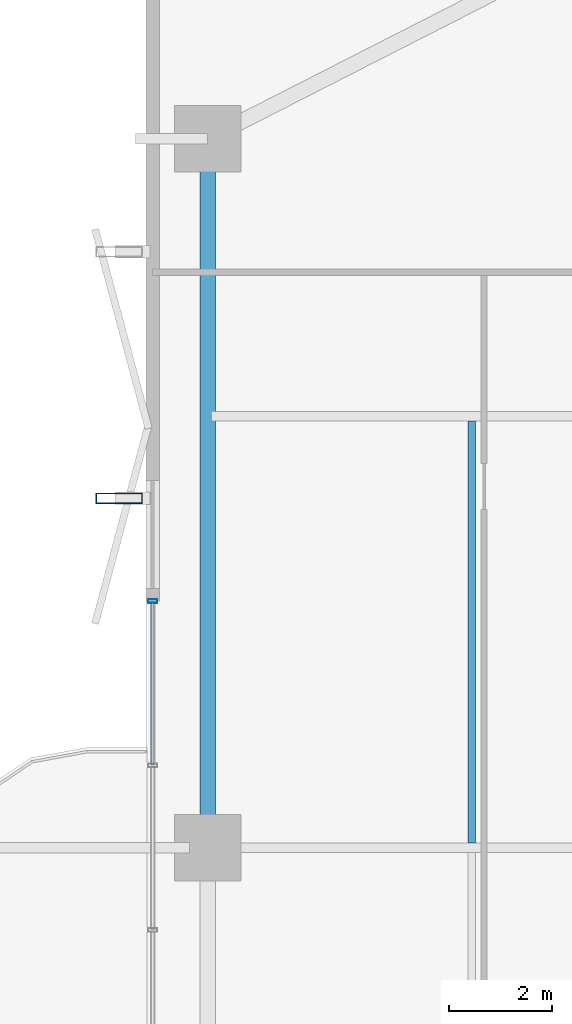
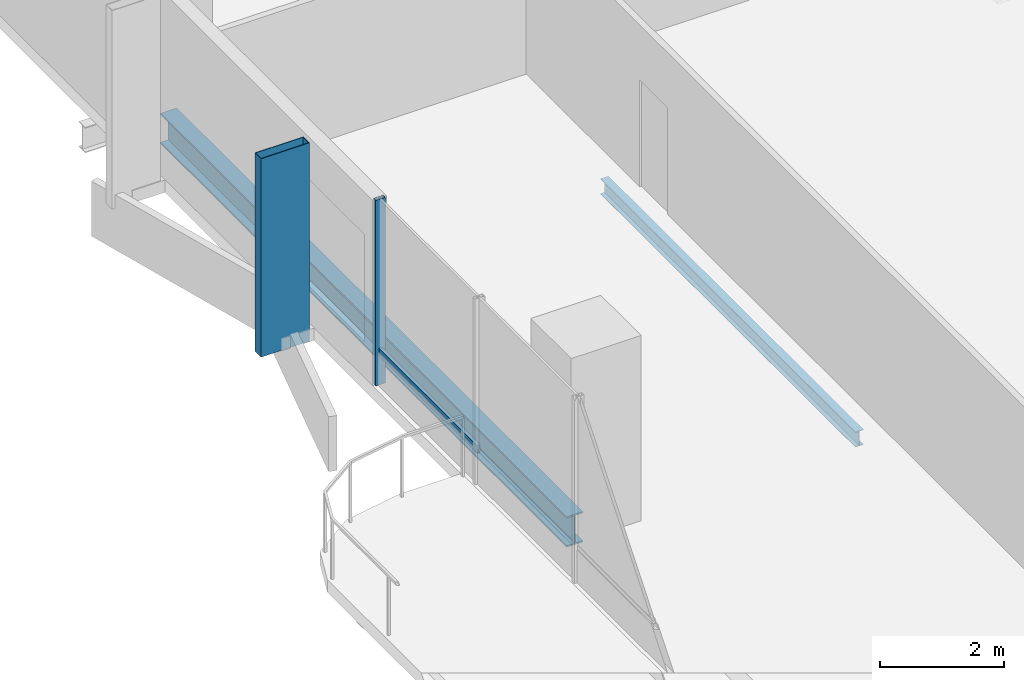
# One storey, part 9 of 24: 3 members, 2 beams, 1 element without a shape of its own.
"""IFC4 building model written with IfcOpenShell, lengths in metres."""

from ifc_helpers import new_model, si_unit, direction, frame, origin, origin_2d, place, context, subcontext, project, spatial, hollow_rectangle, i_section, extrude, material, layer, layer_set, material_profile, profile_set, type_object, element, aggregate, save


model = new_model("IFC4")

# Units and contexts
model_context = context("Model", 3, precision=1e-05, world=origin(), true_north=direction((0.0, 1.0)))
body_context = subcontext(model_context, "Body", "Model", "MODEL_VIEW")
ifc_project = project(units=[si_unit("LENGTHUNIT", "METRE"), si_unit("AREAUNIT", "SQUARE_METRE"), si_unit("VOLUMEUNIT", "CUBIC_METRE"), si_unit("PLANEANGLEUNIT", "RADIAN"), si_unit("MASSUNIT", "GRAM", prefix="KILO")], contexts=[model_context])

# Site, building, storey
site_placement = place(None, origin())
site = spatial("IfcSite", under=ifc_project, at=site_placement, CompositionType="ELEMENT")
building_placement = place(site_placement, origin())
building = spatial("IfcBuilding", under=site, at=building_placement, Name="Belovzor Exchange Tower", CompositionType="ELEMENT")
storey_placement = place(building_placement, frame((0.0, 0.0, 129.0)))
storey = spatial("IfcBuildingStorey", under=building, at=storey_placement, Name="L31", CompositionType="ELEMENT", Elevation=129.0)

# Beam
ifc_material_1 = material(Name="Steel S355", Category="steel")
ifc_material_profile_1 = material_profile(ifc_material_1, i_section(OverallWidth=0.14990234375, OverallDepth=0.300048828125, WebThickness=0.007080078125, FlangeThickness=0.0107421875, at=origin_2d()))
ifc_profile_set_1 = profile_set([ifc_material_profile_1], Name="Steel S355")
beam_type_1 = type_object("IfcBeamType", Name="Secondary Trim Floor Joist IPE 300", PredefinedType="BEAM", material=ifc_profile_set_1)
beam_1_placement = place(storey_placement, frame((9.0390625, 28.89501953125, -0.39990234375), z_axis=(0.0, 1.0, 0.0), x_axis=(-1.0, 0.0, 0.0)))
element("IfcBeam", 1, at=beam_1_placement, inside=storey, type_object=beam_type_1, Name="FJ-300 Secondary Trim Floor Joist IPE 300", PredefinedType="BEAM", context=body_context, shape_type="SweptSolid", body=[
    extrude(i_section(OverallWidth=0.14990234375, OverallDepth=0.300048828125, WebThickness=0.007080078125, FlangeThickness=0.0107421875, at=origin_2d()), origin(), (0.0, 0.0, 1.0), 8.2099609375),
])

# Member
ifc_material_2 = material(Name="Extruded Architectural Terracotta on Steel S355 Carrier", Category="masonry")
ifc_material_profile_2 = material_profile(ifc_material_2, hollow_rectangle(XDim=0.199951171875, YDim=0.89990234375, WallThickness=0.011962890625, at=origin_2d()))
ifc_profile_set_2 = profile_set([ifc_material_profile_2], Name="Extruded Architectural Terracotta on Steel S355 Carrier")
member_type_1 = type_object("IfcMemberType", Name="Sweeping Terracotta Baguette Fin Assembly 1250", PredefinedType="USERDEFINED", material=ifc_profile_set_2)
member_1_placement = place(storey_placement, frame((2.175048828125, 35.60009765625, -0.25), z_axis=(0.0, 0.0, 1.0), x_axis=(0.0, 1.0, 0.0)))
element("IfcMember", 2, at=member_1_placement, inside=storey, type_object=member_type_1, Name="FIN-TC125 Terracotta Facade Fin L31 W3", ObjectType="FIN", PredefinedType="USERDEFINED", context=body_context, shape_type="SweptSolid", body=[
    extrude(hollow_rectangle(XDim=0.199951171875, YDim=0.89990234375, WallThickness=0.011962890625, at=origin_2d()), origin(), (0.0, 0.0, 1.0), 3.89990234375),
])

# Curtain wall, members
ifc_material_3 = material(Name="Anodised Aluminium Framing", Category="aluminium")
ifc_layer = layer(ifc_material_3, 0.179931640625)
ifc_layer_set = layer_set([ifc_layer], Name="Anodised Aluminium Framing")
curtain_wall_type = type_object("IfcCurtainWallType", Name="Recessed Loggia Low-Iron Triple-Glazed Curtain Wall", PredefinedType="NOTDEFINED", material=ifc_layer_set)
curtain_wall_placement = place(storey_placement, origin())
curtain_wall = element("IfcCurtainWall", 3, at=curtain_wall_placement, inside=storey, type_object=curtain_wall_type, Name="CW3 Recessed Loggia Low-Iron Triple-Glazed Curtain Wall L31", PredefinedType="NOTDEFINED")
ifc_material_4 = material(Name="Steel S355", Category="steel")
ifc_material_profile_3 = material_profile(ifc_material_4, hollow_rectangle(XDim=0.074951171875, YDim=0.179931640625, WallThickness=0.0048828125, at=origin_2d()))
ifc_profile_set_3 = profile_set([ifc_material_profile_3], Name="Steel S355")
member_type_2 = type_object("IfcMemberType", Name="Thermally Broken Curtain Wall Mullion 180x75", PredefinedType="MULLION", material=ifc_profile_set_3)
member_2_placement = place(storey_placement, frame((2.830078125, 33.60009765625, 0.0), z_axis=(0.0, 0.0, 1.0), x_axis=(0.0, 1.0, 0.0)))
member_2 = element("IfcMember", 4, at=member_2_placement, type_object=member_type_2, Name="CW-M180 Curtain Wall Mullion 4", PredefinedType="MULLION", context=body_context, shape_type="SweptSolid", body=[
    extrude(hollow_rectangle(XDim=0.074951171875, YDim=0.179931640625, WallThickness=0.0048828125, at=origin_2d()), origin(), (0.0, 0.0, 1.0), 3.64990234375),
])
ifc_material_5 = material(Name="Steel S355", Category="steel")
ifc_material_profile_4 = material_profile(ifc_material_5, hollow_rectangle(XDim=0.06005859375, YDim=0.14990234375, WallThickness=0.00390625, at=origin_2d()))
ifc_profile_set_4 = profile_set([ifc_material_profile_4], Name="Steel S355")
member_type_3 = type_object("IfcMemberType", Name="Thermally Broken Curtain Wall Transom 150x60", PredefinedType="USERDEFINED", material=ifc_profile_set_4)
member_3_placement = place(storey_placement, frame((2.830078125, 30.407958984375, 0.64990234375), z_axis=(0.0, 1.0, 0.0), x_axis=(-1.0, 0.0, 0.0)))
member_3 = element("IfcMember", 5, at=member_3_placement, type_object=member_type_3, Name="CW-T150 Curtain Wall Transom 3", ObjectType="TRANSOM", PredefinedType="USERDEFINED", context=body_context, shape_type="SweptSolid", body=[
    extrude(hollow_rectangle(XDim=0.06005859375, YDim=0.14990234375, WallThickness=0.00390625, at=origin_2d()), origin(), (0.0, 0.0, 1.0), 3.18408203125),
])
aggregate(curtain_wall, [member_2, member_3])

# Beam
ifc_material_6 = material(Name="Steel S355", Category="steel")
ifc_material_profile_5 = material_profile(ifc_material_6, i_section(OverallWidth=0.300048828125, OverallDepth=0.60009765625, WebThickness=0.015380859375, FlangeThickness=0.030029296875, at=origin_2d()))
ifc_profile_set_5 = profile_set([ifc_material_profile_5], Name="Steel S355")
beam_type_2 = type_object("IfcBeamType", Name="Zone 2 Primary Perimeter Girder HEB 600", PredefinedType="BEAM", material=ifc_profile_set_5)
beam_2_placement = place(storey_placement, frame((3.89990234375, 42.241943359375, -0.550048828125), z_axis=(0.0, -1.0, 0.0), x_axis=(1.0, 0.0, 0.0)))
element("IfcBeam", 6, at=beam_2_placement, inside=storey, type_object=beam_type_2, Name="FG-Z2 Zone 2 Primary Perimeter Girder HEB 600", PredefinedType="BEAM", context=body_context, shape_type="SweptSolid", body=[
    extrude(i_section(OverallWidth=0.300048828125, OverallDepth=0.60009765625, WebThickness=0.015380859375, FlangeThickness=0.030029296875, at=origin_2d()), origin(), (0.0, 0.0, 1.0), 13.083984375),
])

save(model, "model.ifc")
